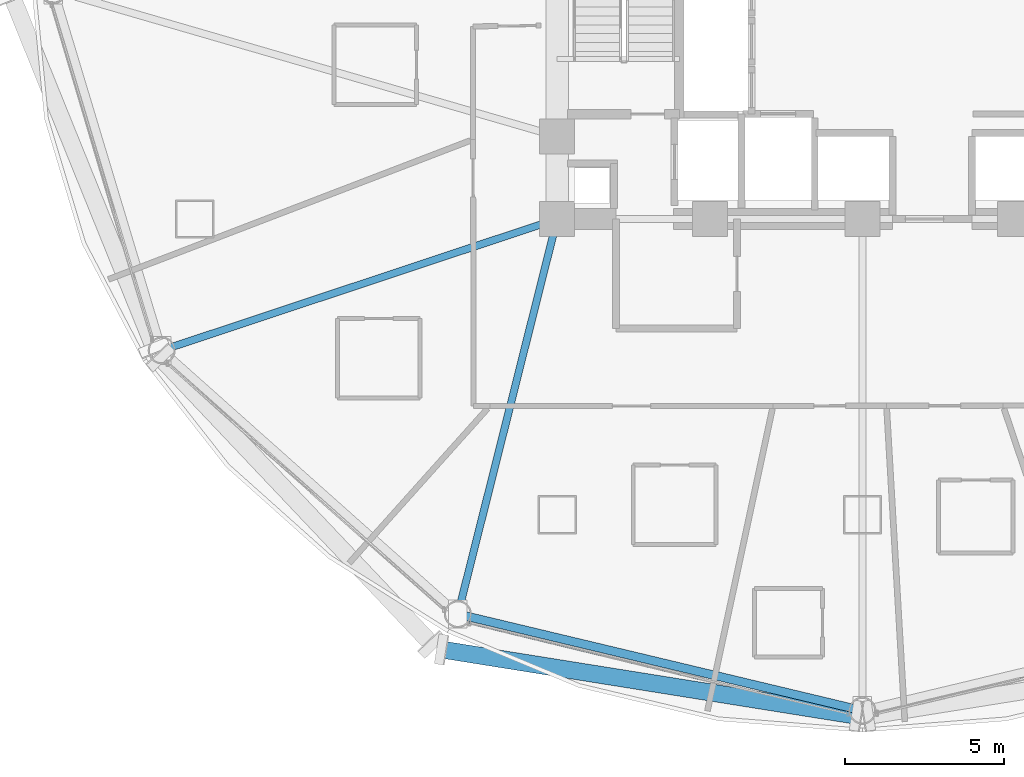
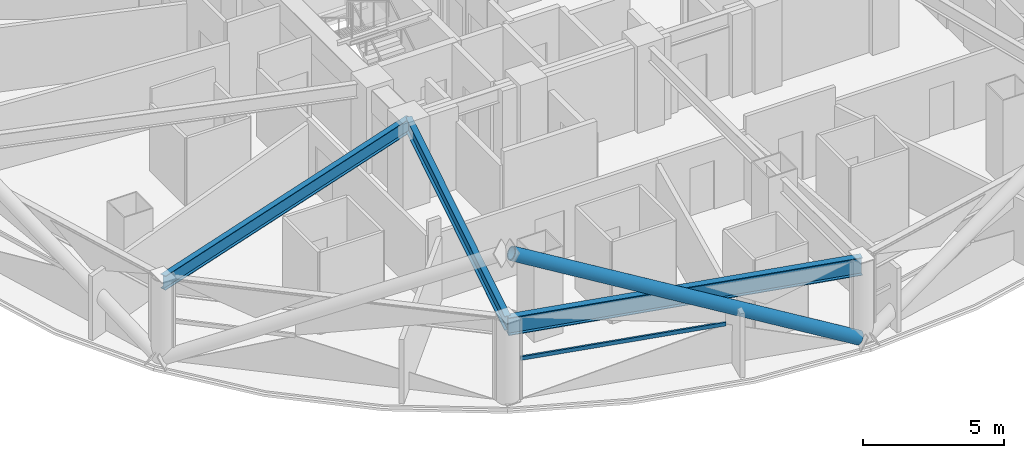
# One storey, part 3 of 31: 3 beams, 2 members, 1 element without a shape of its own.
"""IFC4 building model written with IfcOpenShell, lengths in metres."""

import ifcopenshell
import ifcopenshell.guid

model = None  # the IFC model being written
_history = None  # IfcOwnerHistory: only IFC2X3 demands one
_inside = {}  # id of a spatial element -> (the spatial element, [elements in it])
_under = {}  # id of a project, library or spatial element -> (it, [spatial elements below it])
_declared = {}  # id of a project -> (the project, [libraries it declares])
_typed = {}  # id of a type object -> (the type object, [elements of that type])
_made_of = {}  # id of a material, layer set ... -> (it, [elements and type objects made of it])


def new_model(schema):
    """Start an empty IFC model of exactly this schema.

    Asked for "IFC4X3", IfcOpenShell would pick the latest addendum, in which some entities
    have other attributes; the version numbers below select the first issue.
    IFC2X3 requires an IfcOwnerHistory on every rooted entity: one is made here for all.
    """
    global model, _history
    if schema == "IFC4X3":
        model = ifcopenshell.file(schema_version=(4, 3, 0, 0))
    else:
        model = ifcopenshell.file(schema=schema)
    _inside.clear()
    _under.clear()
    _declared.clear()
    _typed.clear()
    _made_of.clear()
    _history = None
    if model.schema == "IFC2X3":
        org = make("IfcOrganization", Name="unknown")
        user = make(
            "IfcPersonAndOrganization",
            ThePerson=make("IfcPerson", FamilyName="unknown"),
            TheOrganization=org,
        )
        app = make(
            "IfcApplication",
            ApplicationDeveloper=org,
            Version="unknown",
            ApplicationFullName="unknown",
            ApplicationIdentifier="unknown",
        )
        _history = make(
            "IfcOwnerHistory",
            OwningUser=user,
            OwningApplication=app,
            ChangeAction="ADDED",
            CreationDate=0,
        )
    return model


def make(cls, **values):
    """One entity of the class cls with the attributes given. An attribute that is None is left unset."""
    return model.create_entity(
        cls, **{name: value for name, value in values.items() if value is not None}
    )


def rooted(cls, **values):
    """An entity with a GlobalId (a new one), such as an element, a storey or a relation."""
    return make(cls, GlobalId=ifcopenshell.guid.new(), OwnerHistory=_history, **values)


def si_unit(unit_type, name, prefix=None):
    """IfcSIUnit, for example si_unit("LENGTHUNIT", "METRE", prefix="MILLI")."""
    return make("IfcSIUnit", UnitType=unit_type, Prefix=prefix, Name=name)


def assignment(units):
    """IfcUnitAssignment: the units of a project."""
    return None if units is None else make("IfcUnitAssignment", Units=units)


def point(xyz):
    """IfcCartesianPoint."""
    return None if xyz is None else make("IfcCartesianPoint", Coordinates=xyz)


def direction(xyz):
    """IfcDirection."""
    return None if xyz is None else make("IfcDirection", DirectionRatios=xyz)


def frame(location, z_axis=None, x_axis=None):
    """IfcAxis2Placement3D, a coordinate frame: its origin and axes. An axis left out is left unset."""
    return make(
        "IfcAxis2Placement3D",
        Location=point(location),
        Axis=direction(z_axis),
        RefDirection=direction(x_axis),
    )


def frame_2d(location, x_axis=None):
    """IfcAxis2Placement2D, a coordinate frame in the plane: its origin and x axis."""
    return make(
        "IfcAxis2Placement2D", Location=point(location), RefDirection=direction(x_axis)
    )


def origin():
    """The frame at (0, 0, 0) with its axes left unset."""
    return frame((0.0, 0.0, 0.0))


def origin_2d():
    """The frame at (0, 0) in the plane with its x axis left unset."""
    return frame_2d((0.0, 0.0))


def place(relative_to, where):
    """IfcLocalPlacement: puts the frame where relative to a parent placement (None: the world)."""
    return make(
        "IfcLocalPlacement", PlacementRelTo=relative_to, RelativePlacement=where
    )


def context(
    kind, dimensions, precision=None, world=None, true_north=None, identifier=None
):
    """IfcGeometricRepresentationContext, for example the 3D "Model" context."""
    return make(
        "IfcGeometricRepresentationContext",
        ContextIdentifier=identifier,
        ContextType=kind,
        CoordinateSpaceDimension=dimensions,
        Precision=precision,
        WorldCoordinateSystem=world,
        TrueNorth=true_north,
    )


def subcontext(parent, identifier, kind, view, scale=None):
    """IfcGeometricRepresentationSubContext, for example "Body" below "Model"."""
    return make(
        "IfcGeometricRepresentationSubContext",
        ContextIdentifier=identifier,
        ContextType=kind,
        ParentContext=parent,
        TargetScale=scale,
        TargetView=view,
    )


def project(units=None, contexts=None):
    """IfcProject with its units and contexts."""
    return rooted(
        "IfcProject",
        Name="project",
        RepresentationContexts=contexts,
        UnitsInContext=assignment(units),
    )


def spatial(cls, under=None, at=None, **own):
    """A site, building, storey or space (cls), placed at a placement, below another one or the project."""
    s = rooted(cls, ObjectPlacement=at, **own)
    if under is not None:
        _under.setdefault(under.id(), (under, []))[1].append(s)
    return s


def profile(cls, at=None, kind="AREA", **sizes):
    """A parametric profile (cls). Its sizes go by their IFC names, for example OverallWidth=200.0."""
    return make(cls, ProfileType=kind, Position=at, **sizes)


def hollow_rectangle(**sizes):
    """IfcRectangleHollowProfileDef."""
    return profile("IfcRectangleHollowProfileDef", **sizes)


def hollow_circle(**sizes):
    """IfcCircleHollowProfileDef."""
    return profile("IfcCircleHollowProfileDef", **sizes)


def i_section(**sizes):
    """IfcIShapeProfileDef."""
    return profile("IfcIShapeProfileDef", **sizes)


def extrude(swept, where, along, depth):
    """IfcExtrudedAreaSolid: the profile swept, set in the frame where, extruded along a direction by depth."""
    return make(
        "IfcExtrudedAreaSolid",
        SweptArea=swept,
        Position=where,
        ExtrudedDirection=direction(along),
        Depth=depth,
    )


def shape(context_of_items, identifier, shape_type, items):
    """IfcShapeRepresentation: the items that make up one representation, for example the "Body"."""
    return make(
        "IfcShapeRepresentation",
        ContextOfItems=context_of_items,
        RepresentationIdentifier=identifier,
        RepresentationType=shape_type,
        Items=items,
    )


def material(Name=None, Category=None):
    """IfcMaterial."""
    return make("IfcMaterial", Name=Name, Category=Category)


def layer(
    of_material, thickness, ventilated=None, Name=None, Category=None, Priority=None
):
    """IfcMaterialLayer: one layer of a wall or slab, of a material (None: an air gap)."""
    return make(
        "IfcMaterialLayer",
        Material=of_material,
        LayerThickness=thickness,
        IsVentilated=ventilated,
        Name=Name,
        Category=Category,
        Priority=Priority,
    )


def layer_set(layers, Name=None):
    """IfcMaterialLayerSet."""
    return make("IfcMaterialLayerSet", MaterialLayers=layers, LayerSetName=Name)


def material_profile(
    of_material, cross_section, Name=None, Category=None, Priority=None
):
    """IfcMaterialProfile: a cross section and its material."""
    return make(
        "IfcMaterialProfile",
        Name=Name,
        Material=of_material,
        Profile=cross_section,
        Priority=Priority,
        Category=Category,
    )


def profile_set(profiles, Name=None, composite=None):
    """IfcMaterialProfileSet."""
    return make(
        "IfcMaterialProfileSet",
        Name=Name,
        MaterialProfiles=profiles,
        CompositeProfile=composite,
    )


def made_of(thing, what):
    """Note that an element or type object is made of a material, layer set ...; save() writes the relation."""
    if what is not None:
        _made_of.setdefault(what.id(), (what, []))[1].append(thing)
    return thing


def type_object(cls, material=None, **own):
    """A type object (cls), such as IfcWallType, which elements share."""
    return made_of(rooted(cls, **own), material)


def element(
    cls,
    number,
    at=None,
    inside=None,
    cuts=None,
    type_object=None,
    material=None,
    context=None,
    identifier="Body",
    shape_type=None,
    held_by="IfcProductDefinitionShape",
    body=None,
    shapes=None,
    **own,
):
    """One element of the class cls, such as IfcWall. Its Tag is "e" and its number.

    at: its placement. inside: the storey or other place that contains it. cuts: it is an
    opening in that element (IfcRelVoidsElement). A single representation is given by context,
    identifier, shape_type and body (its items); several are given by shapes. held_by: the class
    of the entity that holds the representations. save() writes the other relations.
    """
    e = rooted(cls, Tag="e%d" % number, ObjectPlacement=at, **own)
    if body is not None:
        shapes = [shape(context, identifier, shape_type, body)]
    if shapes is not None:
        e.Representation = make(held_by, Representations=shapes)
    if inside is not None:
        _inside.setdefault(inside.id(), (inside, []))[1].append(e)
    if cuts is not None:
        rooted(
            "IfcRelVoidsElement", RelatingBuildingElement=cuts, RelatedOpeningElement=e
        )
    if type_object is not None:
        _typed.setdefault(type_object.id(), (type_object, []))[1].append(e)
    return made_of(e, material)


def aggregate(whole, parts):
    """IfcRelAggregates: a whole, such as a stair, and the parts it consists of."""
    return rooted("IfcRelAggregates", RelatingObject=whole, RelatedObjects=parts)


def save(model, path):
    """Write the relations noted so far, then the file.

    IfcRelAggregates (storeys below a building ...), IfcRelContainedInSpatialStructure (elements
    in a storey), IfcRelDefinesByType, IfcRelAssociatesMaterial and IfcRelDeclares: one each for
    every whole, place, type object, material and project.
    """
    for whole, parts in _under.values():
        aggregate(whole, parts)
    for where, things in _inside.values():
        rooted(
            "IfcRelContainedInSpatialStructure",
            RelatedElements=things,
            RelatingStructure=where,
        )
    for kind, things in _typed.values():
        rooted("IfcRelDefinesByType", RelatedObjects=things, RelatingType=kind)
    for what, things in _made_of.values():
        rooted("IfcRelAssociatesMaterial", RelatedObjects=things, RelatingMaterial=what)
    for by, libraries in _declared.values():
        rooted("IfcRelDeclares", RelatingContext=by, RelatedDefinitions=libraries)
    model.write(path)


model = new_model("IFC4")

# Units and contexts
model_context = context("Model", 3, precision=1e-05, world=origin(), true_north=direction((0.0, 1.0)))
body_context = subcontext(model_context, "Body", "Model", "MODEL_VIEW")
ifc_project = project(units=[si_unit("LENGTHUNIT", "METRE"), si_unit("AREAUNIT", "SQUARE_METRE"), si_unit("VOLUMEUNIT", "CUBIC_METRE"), si_unit("PLANEANGLEUNIT", "RADIAN"), si_unit("MASSUNIT", "GRAM", prefix="KILO")], contexts=[model_context])

# Site, building, storey
site_placement = place(None, origin())
site = spatial("IfcSite", under=ifc_project, at=site_placement, CompositionType="ELEMENT")
building_placement = place(site_placement, origin())
building = spatial("IfcBuilding", under=site, at=building_placement, Name="Vantalir Tower", CompositionType="ELEMENT")
storey_placement = place(building_placement, frame((0.0, 0.0, 34.5)))
storey = spatial("IfcBuildingStorey", under=building, at=storey_placement, Name="L07", CompositionType="ELEMENT", Elevation=34.5)

# Beams
ifc_material_1 = material(Name="Steel S355", Category="steel")
ifc_material_profile_1 = material_profile(ifc_material_1, i_section(OverallWidth=0.22998046875, OverallDepth=0.616943359375, WebThickness=0.01318359375, FlangeThickness=0.022216796875, at=origin_2d()), Name="Steel S355")
ifc_profile_set_1 = profile_set([ifc_material_profile_1], Name="Steel S355")
beam_type_1 = type_object("IfcBeamType", Name="BM-RB-610x229", PredefinedType="BEAM", material=ifc_profile_set_1)
beam_1_placement = place(storey_placement, frame((9.4599609375, 13.66796875, 3.261962890625), z_axis=(0.9490161576, 0.315227429984, 0.0), x_axis=(-0.315227429984, 0.9490161576, 0.0)))
element("IfcBeam", 1, at=beam_1_placement, inside=storey, type_object=beam_type_1, Name="L07 Radial Floor Beam 08", PredefinedType="BEAM", context=body_context, shape_type="SweptSolid", body=[
    extrude(i_section(OverallWidth=0.22998046875, OverallDepth=0.616943359375, WebThickness=0.01318359375, FlangeThickness=0.022216796875, at=origin_2d()), origin(), (0.0, 0.0, 1.0), 13.108154296875),
])
beam_2_placement = place(storey_placement, frame((18.77490234375, 5.3720703125, 3.261962890625), z_axis=(0.24385779031, 0.969811001229, 0.0), x_axis=(-0.969811001229, 0.24385779031, 0.0)))
element("IfcBeam", 2, at=beam_2_placement, inside=storey, type_object=beam_type_1, Name="L07 Radial Floor Beam 09", PredefinedType="BEAM", context=body_context, shape_type="SweptSolid", body=[
    extrude(i_section(OverallWidth=0.22998046875, OverallDepth=0.616943359375, WebThickness=0.01318359375, FlangeThickness=0.022216796875, at=origin_2d()), origin(), (0.0, 0.0, 1.0), 12.81494140625),
])
ifc_material_2 = material(Name="Steel S460", Category="steel")
ifc_material_profile_2 = material_profile(ifc_material_2, i_section(OverallWidth=0.26806640625, OverallDepth=0.77001953125, WebThickness=0.015625, FlangeThickness=0.025390625, at=origin_2d()), Name="Steel S460")
ifc_profile_set_2 = profile_set([ifc_material_profile_2], Name="Steel S460")
beam_type_2 = type_object("IfcBeamType", Name="BM-RG-762x267", PredefinedType="USERDEFINED", material=ifc_profile_set_2)
beam_3_placement = place(storey_placement, frame((18.77490234375, 5.3720703125, 3.18505859375), z_axis=(0.972696777879, -0.232079680935, 0.0), x_axis=(0.232079680935, 0.972696777879, 0.0)))
element("IfcBeam", 3, at=beam_3_placement, inside=storey, type_object=beam_type_2, Name="L07 Circumferential Ring Girder 09", ObjectType="GIRDER", PredefinedType="USERDEFINED", context=body_context, shape_type="SweptSolid", body=[
    extrude(i_section(OverallWidth=0.26806640625, OverallDepth=0.77001953125, WebThickness=0.015625, FlangeThickness=0.025390625, at=origin_2d()), origin(), (0.0, 0.0, 1.0), 13.082275390625),
])

# Curtain wall, member
ifc_material_3 = material(Name="Champagne-silver PVDF aluminium and double-silver Low-E glass", Category="aluminium")
ifc_layer = layer(ifc_material_3, 0.18994140625)
ifc_layer_set = layer_set([ifc_layer], Name="Champagne-silver PVDF aluminium and double-silver Low-E glass")
curtain_wall_type = type_object("IfcCurtainWallType", Name="CW-DIAMOND-Z1", PredefinedType="USERDEFINED", material=ifc_layer_set)
curtain_wall_placement = place(storey_placement, origin())
curtain_wall = element("IfcCurtainWall", 4, at=curtain_wall_placement, inside=storey, type_object=curtain_wall_type, Name="L07 Quilted Pyramid-Diamond Curtain Wall S09", ObjectType="UNITISED CURTAIN WALL", PredefinedType="USERDEFINED")
ifc_material_4 = material(Name="Champagne-silver PVDF aluminium 6063-T6", Category="aluminium")
ifc_material_profile_3 = material_profile(ifc_material_4, hollow_rectangle(XDim=0.074951171875, YDim=0.159912109375, WallThickness=0.00390625, at=origin_2d()), Name="Champagne-silver PVDF aluminium 6063-T6")
ifc_profile_set_3 = profile_set([ifc_material_profile_3], Name="Champagne-silver PVDF aluminium 6063-T6")
member_type_1 = type_object("IfcMemberType", Name="CWT-160x75", PredefinedType="USERDEFINED", material=ifc_profile_set_3)
member_1_placement = place(storey_placement, frame((19.136962890625, 5.09912109375, 1.784912109375), z_axis=(0.971880452812, -0.235474808506, 0.0), x_axis=(0.235474808506, 0.971880452812, 0.0)))
member_1 = element("IfcMember", 5, at=member_1_placement, type_object=member_type_1, Name="CW-L07-S09 Pyramid Fold Ridge Transom", ObjectType="TRANSOM", PredefinedType="USERDEFINED", context=body_context, shape_type="SweptSolid", body=[
    extrude(hollow_rectangle(XDim=0.074951171875, YDim=0.159912109375, WallThickness=0.00390625, at=origin_2d()), origin(), (0.0, 0.0, 1.0), 7.58935546875),
])
aggregate(curtain_wall, [member_1])

# Member
ifc_material_profile_4 = material_profile(ifc_material_2, hollow_circle(Radius=0.27001953125, WallThickness=0.044921875, at=origin_2d()), Name="Steel S460")
ifc_profile_set_4 = profile_set([ifc_material_profile_4], Name="Steel S460")
member_type_2 = type_object("IfcMemberType", Name="MEM-DB-540x45", PredefinedType="BRACE", material=ifc_profile_set_4)
member_2_placement = place(storey_placement, frame((31.30810546875, 2.177001953125, 0.18310546875), z_axis=(-0.873620305221, 0.139451896965, 0.466198166812), x_axis=(-0.15762970392, -0.987498291868, 0.0)))
element("IfcMember", 6, at=member_2_placement, inside=storey, type_object=member_type_2, Name="L07 Perimeter S460 Diagrid Brace R28R", PredefinedType="BRACE", context=body_context, shape_type="SweptSolid", body=[
    extrude(hollow_circle(Radius=0.27001953125, WallThickness=0.044921875, at=origin_2d()), origin(), (0.0, 0.0, 1.0), 14.916015625),
])

save(model, "model.ifc")
